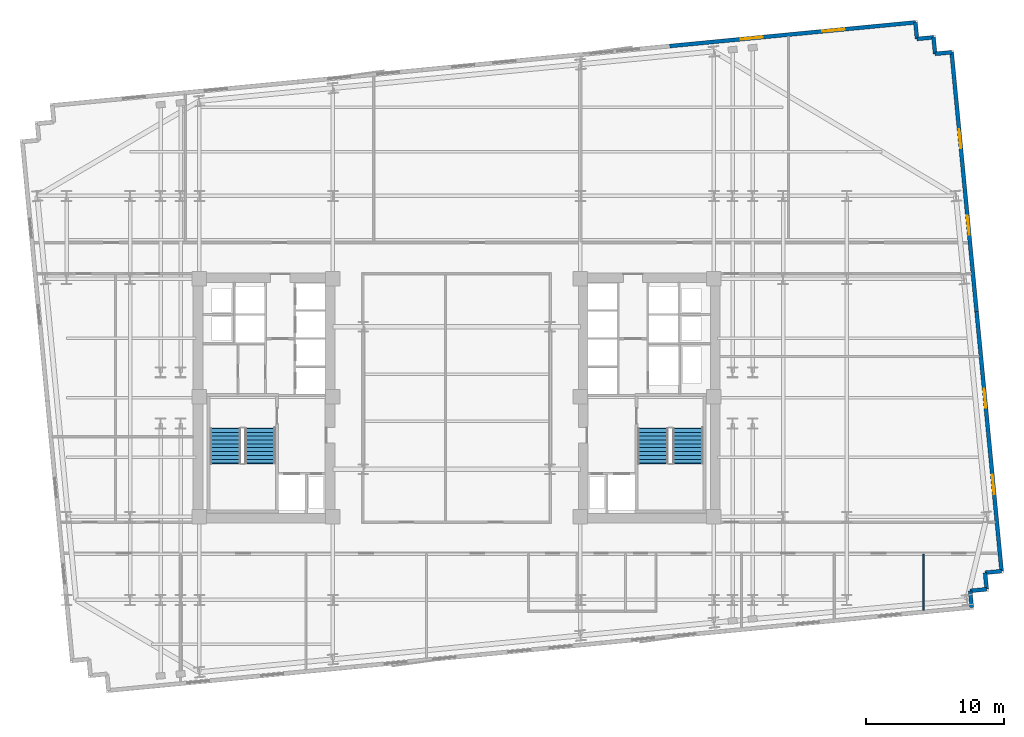
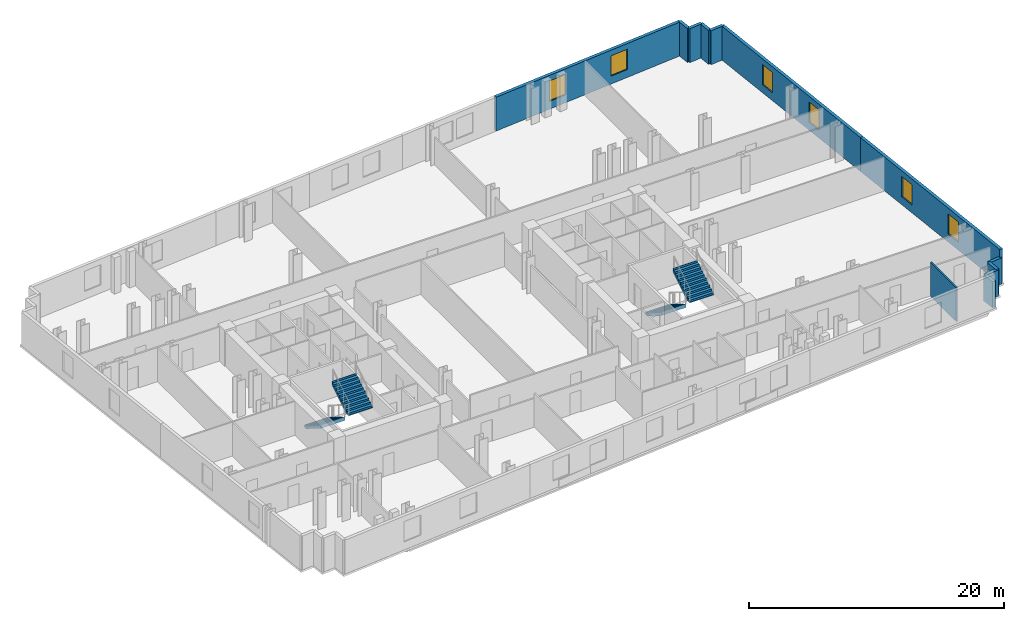
# One storey, part 8 of 10: 12 walls, 6 windows, 4 stair flights, 6 openings, 2 elements without a shape of their own.
"""IFC4 building model written with IfcOpenShell, lengths in metres."""

import ifcopenshell
import ifcopenshell.guid

model = None  # the IFC model being written
_history = None  # IfcOwnerHistory: only IFC2X3 demands one
_inside = {}  # id of a spatial element -> (the spatial element, [elements in it])
_under = {}  # id of a project, library or spatial element -> (it, [spatial elements below it])
_declared = {}  # id of a project -> (the project, [libraries it declares])
_typed = {}  # id of a type object -> (the type object, [elements of that type])
_made_of = {}  # id of a material, layer set ... -> (it, [elements and type objects made of it])


def new_model(schema):
    """Start an empty IFC model of exactly this schema.

    Asked for "IFC4X3", IfcOpenShell would pick the latest addendum, in which some entities
    have other attributes; the version numbers below select the first issue.
    IFC2X3 requires an IfcOwnerHistory on every rooted entity: one is made here for all.
    """
    global model, _history
    if schema == "IFC4X3":
        model = ifcopenshell.file(schema_version=(4, 3, 0, 0))
    else:
        model = ifcopenshell.file(schema=schema)
    _inside.clear()
    _under.clear()
    _declared.clear()
    _typed.clear()
    _made_of.clear()
    _history = None
    if model.schema == "IFC2X3":
        org = make("IfcOrganization", Name="unknown")
        user = make(
            "IfcPersonAndOrganization",
            ThePerson=make("IfcPerson", FamilyName="unknown"),
            TheOrganization=org,
        )
        app = make(
            "IfcApplication",
            ApplicationDeveloper=org,
            Version="unknown",
            ApplicationFullName="unknown",
            ApplicationIdentifier="unknown",
        )
        _history = make(
            "IfcOwnerHistory",
            OwningUser=user,
            OwningApplication=app,
            ChangeAction="ADDED",
            CreationDate=0,
        )
    return model


def make(cls, **values):
    """One entity of the class cls with the attributes given. An attribute that is None is left unset."""
    return model.create_entity(
        cls, **{name: value for name, value in values.items() if value is not None}
    )


def rooted(cls, **values):
    """An entity with a GlobalId (a new one), such as an element, a storey or a relation."""
    return make(cls, GlobalId=ifcopenshell.guid.new(), OwnerHistory=_history, **values)


def si_unit(unit_type, name, prefix=None):
    """IfcSIUnit, for example si_unit("LENGTHUNIT", "METRE", prefix="MILLI")."""
    return make("IfcSIUnit", UnitType=unit_type, Prefix=prefix, Name=name)


def assignment(units):
    """IfcUnitAssignment: the units of a project."""
    return None if units is None else make("IfcUnitAssignment", Units=units)


def point(xyz):
    """IfcCartesianPoint."""
    return None if xyz is None else make("IfcCartesianPoint", Coordinates=xyz)


def direction(xyz):
    """IfcDirection."""
    return None if xyz is None else make("IfcDirection", DirectionRatios=xyz)


def frame(location, z_axis=None, x_axis=None):
    """IfcAxis2Placement3D, a coordinate frame: its origin and axes. An axis left out is left unset."""
    return make(
        "IfcAxis2Placement3D",
        Location=point(location),
        Axis=direction(z_axis),
        RefDirection=direction(x_axis),
    )


def frame_2d(location, x_axis=None):
    """IfcAxis2Placement2D, a coordinate frame in the plane: its origin and x axis."""
    return make(
        "IfcAxis2Placement2D", Location=point(location), RefDirection=direction(x_axis)
    )


def origin():
    """The frame at (0, 0, 0) with its axes left unset."""
    return frame((0.0, 0.0, 0.0))


def place(relative_to, where):
    """IfcLocalPlacement: puts the frame where relative to a parent placement (None: the world)."""
    return make(
        "IfcLocalPlacement", PlacementRelTo=relative_to, RelativePlacement=where
    )


def context(
    kind, dimensions, precision=None, world=None, true_north=None, identifier=None
):
    """IfcGeometricRepresentationContext, for example the 3D "Model" context."""
    return make(
        "IfcGeometricRepresentationContext",
        ContextIdentifier=identifier,
        ContextType=kind,
        CoordinateSpaceDimension=dimensions,
        Precision=precision,
        WorldCoordinateSystem=world,
        TrueNorth=true_north,
    )


def subcontext(parent, identifier, kind, view, scale=None):
    """IfcGeometricRepresentationSubContext, for example "Body" below "Model"."""
    return make(
        "IfcGeometricRepresentationSubContext",
        ContextIdentifier=identifier,
        ContextType=kind,
        ParentContext=parent,
        TargetScale=scale,
        TargetView=view,
    )


def project(units=None, contexts=None):
    """IfcProject with its units and contexts."""
    return rooted(
        "IfcProject",
        Name="project",
        RepresentationContexts=contexts,
        UnitsInContext=assignment(units),
    )


def spatial(cls, under=None, at=None, **own):
    """A site, building, storey or space (cls), placed at a placement, below another one or the project."""
    s = rooted(cls, ObjectPlacement=at, **own)
    if under is not None:
        _under.setdefault(under.id(), (under, []))[1].append(s)
    return s


def polyline(points):
    """IfcPolyline through the points."""
    return make("IfcPolyline", Points=[point(p) for p in points])


def profile(cls, at=None, kind="AREA", **sizes):
    """A parametric profile (cls). Its sizes go by their IFC names, for example OverallWidth=200.0."""
    return make(cls, ProfileType=kind, Position=at, **sizes)


def rectangle(**sizes):
    """IfcRectangleProfileDef."""
    return profile("IfcRectangleProfileDef", **sizes)


def outline(outer, holes=None, kind="AREA"):
    """IfcArbitraryClosedProfileDef: a profile drawn as a closed curve; with holes, ...WithVoids."""
    if holes is None:
        return make("IfcArbitraryClosedProfileDef", ProfileType=kind, OuterCurve=outer)
    return make(
        "IfcArbitraryProfileDefWithVoids",
        ProfileType=kind,
        OuterCurve=outer,
        InnerCurves=holes,
    )


def extrude(swept, where, along, depth):
    """IfcExtrudedAreaSolid: the profile swept, set in the frame where, extruded along a direction by depth."""
    return make(
        "IfcExtrudedAreaSolid",
        SweptArea=swept,
        Position=where,
        ExtrudedDirection=direction(along),
        Depth=depth,
    )


def shape(context_of_items, identifier, shape_type, items):
    """IfcShapeRepresentation: the items that make up one representation, for example the "Body"."""
    return make(
        "IfcShapeRepresentation",
        ContextOfItems=context_of_items,
        RepresentationIdentifier=identifier,
        RepresentationType=shape_type,
        Items=items,
    )


def material(Name=None, Category=None):
    """IfcMaterial."""
    return make("IfcMaterial", Name=Name, Category=Category)


def layer(
    of_material, thickness, ventilated=None, Name=None, Category=None, Priority=None
):
    """IfcMaterialLayer: one layer of a wall or slab, of a material (None: an air gap)."""
    return make(
        "IfcMaterialLayer",
        Material=of_material,
        LayerThickness=thickness,
        IsVentilated=ventilated,
        Name=Name,
        Category=Category,
        Priority=Priority,
    )


def layer_set(layers, Name=None):
    """IfcMaterialLayerSet."""
    return make("IfcMaterialLayerSet", MaterialLayers=layers, LayerSetName=Name)


def made_of(thing, what):
    """Note that an element or type object is made of a material, layer set ...; save() writes the relation."""
    if what is not None:
        _made_of.setdefault(what.id(), (what, []))[1].append(thing)
    return thing


def type_object(cls, material=None, **own):
    """A type object (cls), such as IfcWallType, which elements share."""
    return made_of(rooted(cls, **own), material)


def element(
    cls,
    number,
    at=None,
    inside=None,
    cuts=None,
    type_object=None,
    material=None,
    context=None,
    identifier="Body",
    shape_type=None,
    held_by="IfcProductDefinitionShape",
    body=None,
    shapes=None,
    **own,
):
    """One element of the class cls, such as IfcWall. Its Tag is "e" and its number.

    at: its placement. inside: the storey or other place that contains it. cuts: it is an
    opening in that element (IfcRelVoidsElement). A single representation is given by context,
    identifier, shape_type and body (its items); several are given by shapes. held_by: the class
    of the entity that holds the representations. save() writes the other relations.
    """
    e = rooted(cls, Tag="e%d" % number, ObjectPlacement=at, **own)
    if body is not None:
        shapes = [shape(context, identifier, shape_type, body)]
    if shapes is not None:
        e.Representation = make(held_by, Representations=shapes)
    if inside is not None:
        _inside.setdefault(inside.id(), (inside, []))[1].append(e)
    if cuts is not None:
        rooted(
            "IfcRelVoidsElement", RelatingBuildingElement=cuts, RelatedOpeningElement=e
        )
    if type_object is not None:
        _typed.setdefault(type_object.id(), (type_object, []))[1].append(e)
    return made_of(e, material)


def fill(opening, filler):
    """IfcRelFillsElement: the door or window that sits in an opening."""
    return rooted(
        "IfcRelFillsElement",
        RelatingOpeningElement=opening,
        RelatedBuildingElement=filler,
    )


def aggregate(whole, parts):
    """IfcRelAggregates: a whole, such as a stair, and the parts it consists of."""
    return rooted("IfcRelAggregates", RelatingObject=whole, RelatedObjects=parts)


def save(model, path):
    """Write the relations noted so far, then the file.

    IfcRelAggregates (storeys below a building ...), IfcRelContainedInSpatialStructure (elements
    in a storey), IfcRelDefinesByType, IfcRelAssociatesMaterial and IfcRelDeclares: one each for
    every whole, place, type object, material and project.
    """
    for whole, parts in _under.values():
        aggregate(whole, parts)
    for where, things in _inside.values():
        rooted(
            "IfcRelContainedInSpatialStructure",
            RelatedElements=things,
            RelatingStructure=where,
        )
    for kind, things in _typed.values():
        rooted("IfcRelDefinesByType", RelatedObjects=things, RelatingType=kind)
    for what, things in _made_of.values():
        rooted("IfcRelAssociatesMaterial", RelatedObjects=things, RelatingMaterial=what)
    for by, libraries in _declared.values():
        rooted("IfcRelDeclares", RelatingContext=by, RelatedDefinitions=libraries)
    model.write(path)


model = new_model("IFC4")

# Units and contexts
model_context = context("Model", 3, precision=1e-05, world=origin(), true_north=direction((0.0, 1.0)))
body_context = subcontext(model_context, "Body", "Model", "MODEL_VIEW")
ifc_project = project(units=[si_unit("LENGTHUNIT", "METRE"), si_unit("AREAUNIT", "SQUARE_METRE"), si_unit("VOLUMEUNIT", "CUBIC_METRE"), si_unit("PLANEANGLEUNIT", "RADIAN"), si_unit("MASSUNIT", "GRAM", prefix="KILO")], contexts=[model_context])

# Site, building, storey
site_placement = place(None, origin())
site = spatial("IfcSite", under=ifc_project, at=site_placement, CompositionType="ELEMENT")
building_placement = place(site_placement, origin())
building = spatial("IfcBuilding", under=site, at=building_placement, Name="Velakula Bourse", CompositionType="ELEMENT")
storey_placement = place(building_placement, frame((0.0, 0.0, 88.0)))
storey = spatial("IfcBuildingStorey", under=building, at=storey_placement, Name="L23", CompositionType="ELEMENT", Elevation=88.0)

# Wall, openings, windows
ifc_material_1 = material(Name="Red kilned clay facing brick masonry", Category="masonry")
ifc_layer_1 = layer(ifc_material_1, 0.280029296875, Name="Red kilned clay facing brick masonry", Category="masonry")
ifc_layer_set_1 = layer_set([ifc_layer_1], Name="Red kilned clay facing brick masonry")
wall_type_1 = type_object("IfcWallType", Name="WL-EXT-BRK-280", PredefinedType="STANDARD", material=ifc_layer_set_1)
wall_1_placement = place(storey_placement, frame((15.402099609375, 25.43603515625, 0.0), z_axis=(0.0, 0.0, 1.0), x_axis=(0.995395780835, 0.095850088663, 0.0)))
wall_1 = element("IfcWall", 1, at=wall_1_placement, inside=storey, type_object=wall_type_1, Name="L23 N Brick Spandrel Wall B5", PredefinedType="STANDARD", context=body_context, shape_type="SweptSolid", body=[
    extrude(rectangle(XDim=17.83984375, YDim=0.280029296875, at=frame_2d((8.919921875, 0.0))), origin(), (0.0, 0.0, 1.0), 3.25),
])
opening_1_placement = place(wall_1_placement, frame((5.146728515625, 0.0, 0.760009765625)))
opening_1 = element("IfcOpeningElement", 2, at=opening_1_placement, cuts=wall_1, Name="Opening W-02", PredefinedType="OPENING", context=body_context, shape_type="SweptSolid", body=[
    extrude(rectangle(XDim=1.60009765625, YDim=1.949951171875, at=frame_2d((0.800048828125, 0.97509765625))), frame((0.0, 0.14990234375, 0.0), z_axis=(0.0, -1.0, 0.0), x_axis=(1.0, 0.0, 0.0)), (0.0, 0.0, 1.0), 0.300048828125),
])
opening_2_placement = place(wall_1_placement, frame((11.09326171875, 0.0, 0.760009765625)))
opening_2 = element("IfcOpeningElement", 3, at=opening_2_placement, cuts=wall_1, Name="Opening W-02", PredefinedType="OPENING", context=body_context, shape_type="SweptSolid", body=[
    extrude(rectangle(XDim=1.60009765625, YDim=1.949951171875, at=frame_2d((0.800048828125, 0.97509765625))), frame((0.0, 0.14990234375, 0.0), z_axis=(0.0, -1.0, 0.0), x_axis=(1.0, 0.0, 0.0)), (0.0, 0.0, 1.0), 0.300048828125),
])
ifc_material_2 = material(Name="Double-glazed solar-control Low-E glass", Category="glass")
window_type_1 = type_object("IfcWindowType", Name="WIN-TWR-1600x2100", PartitioningType="SINGLE_PANEL", PredefinedType="WINDOW", material=ifc_material_2)
window_1_placement = place(opening_1_placement, origin())
window_1 = element("IfcWindow", 4, at=window_1_placement, inside=storey, type_object=window_type_1, Name="L23 Deep-Set Recessed Window 1", OverallHeight=1.949951171875, OverallWidth=1.60009765625, PartitioningType="SINGLE_PANEL", PredefinedType="WINDOW", context=body_context, shape_type="SweptSolid", body=[
    extrude(rectangle(XDim=1.60009765625, YDim=1.949951171875, at=frame_2d((0.800048828125, 0.97509765625))), frame((0.0, 0.030029296875, 0.0), z_axis=(0.0, -1.0, 0.0), x_axis=(1.0, 0.0, 0.0)), (0.0, 0.0, 1.0), 0.06005859375),
])
fill(opening_1, window_1)
window_2_placement = place(opening_2_placement, origin())
window_2 = element("IfcWindow", 5, at=window_2_placement, inside=storey, type_object=window_type_1, Name="L23 Deep-Set Recessed Window 2", OverallHeight=1.949951171875, OverallWidth=1.60009765625, PartitioningType="SINGLE_PANEL", PredefinedType="WINDOW", context=body_context, shape_type="SweptSolid", body=[
    extrude(rectangle(XDim=1.60009765625, YDim=1.949951171875, at=frame_2d((0.800048828125, 0.97509765625))), frame((0.0, 0.030029296875, 0.0), z_axis=(0.0, -1.0, 0.0), x_axis=(1.0, 0.0, 0.0)), (0.0, 0.0, 1.0), 0.06005859375),
])
fill(opening_2, window_2)

wall_2_placement = place(storey_placement, frame((37.584716796875, 6.23388671875, 0.0), z_axis=(0.0, 0.0, 1.0), x_axis=(0.095841297881, -0.99539662729, 0.0)))
wall_2 = element("IfcWall", 6, at=wall_2_placement, inside=storey, type_object=wall_type_1, Name="L23 E Brick End Wall W1", PredefinedType="STANDARD", context=body_context, shape_type="SweptSolid", body=[
    extrude(rectangle(XDim=18.840087890625, YDim=0.280029296875, at=frame_2d((9.419921875, 0.0))), origin(), (0.0, 0.0, 1.0), 3.25),
])
opening_3_placement = place(wall_2_placement, frame((5.580078125, 0.0, 0.760009765625)))
opening_3 = element("IfcOpeningElement", 7, at=opening_3_placement, cuts=wall_2, Name="Opening W-03", PredefinedType="OPENING", context=body_context, shape_type="SweptSolid", body=[
    extrude(rectangle(XDim=1.39990234375, YDim=1.949951171875, at=frame_2d((0.699951171875, 0.97509765625))), frame((0.0, 0.14990234375, 0.0), z_axis=(0.0, -1.0, 0.0), x_axis=(1.0, 0.0, 0.0)), (0.0, 0.0, 1.0), 0.300048828125),
])
opening_4_placement = place(wall_2_placement, frame((11.860107421875, 0.0, 0.760009765625)))
opening_4 = element("IfcOpeningElement", 8, at=opening_4_placement, cuts=wall_2, Name="Opening W-03", PredefinedType="OPENING", context=body_context, shape_type="SweptSolid", body=[
    extrude(rectangle(XDim=1.39990234375, YDim=1.949951171875, at=frame_2d((0.699951171875, 0.97509765625))), frame((0.0, 0.14990234375, 0.0), z_axis=(0.0, -1.0, 0.0), x_axis=(1.0, 0.0, 0.0)), (0.0, 0.0, 1.0), 0.300048828125),
])
window_type_2 = type_object("IfcWindowType", Name="WIN-TWR-1400x2100", PartitioningType="SINGLE_PANEL", PredefinedType="WINDOW", material=ifc_material_2)
window_3_placement = place(opening_3_placement, origin())
window_3 = element("IfcWindow", 9, at=window_3_placement, inside=storey, type_object=window_type_2, Name="L23 Deep-Set Recessed Window 1", OverallHeight=1.949951171875, OverallWidth=1.39990234375, PartitioningType="SINGLE_PANEL", PredefinedType="WINDOW", context=body_context, shape_type="SweptSolid", body=[
    extrude(rectangle(XDim=1.39990234375, YDim=1.949951171875, at=frame_2d((0.699951171875, 0.97509765625))), frame((0.0, 0.030029296875, 0.0), z_axis=(0.0, -1.0, 0.0), x_axis=(1.0, 0.0, 0.0)), (0.0, 0.0, 1.0), 0.06005859375),
])
fill(opening_3, window_3)
window_4_placement = place(opening_4_placement, origin())
window_4 = element("IfcWindow", 10, at=window_4_placement, inside=storey, type_object=window_type_2, Name="L23 Deep-Set Recessed Window 2", OverallHeight=1.949951171875, OverallWidth=1.39990234375, PartitioningType="SINGLE_PANEL", PredefinedType="WINDOW", context=body_context, shape_type="SweptSolid", body=[
    extrude(rectangle(XDim=1.39990234375, YDim=1.949951171875, at=frame_2d((0.699951171875, 0.97509765625))), frame((0.0, 0.030029296875, 0.0), z_axis=(0.0, -1.0, 0.0), x_axis=(1.0, 0.0, 0.0)), (0.0, 0.0, 1.0), 0.06005859375),
])
fill(opening_4, window_4)

wall_3_placement = place(storey_placement, frame((35.779052734375, 24.987060546875, 0.0), z_axis=(0.0, 0.0, 1.0), x_axis=(0.095842534142, -0.995396508256, 0.0)))
wall_3 = element("IfcWall", 11, at=wall_3_placement, inside=storey, type_object=wall_type_1, Name="L23 E Brick End Wall W2", PredefinedType="STANDARD", context=body_context, shape_type="SweptSolid", body=[
    extrude(rectangle(XDim=18.83984375, YDim=0.280029296875, at=frame_2d((9.419921875, 0.0))), origin(), (0.0, 0.0, 1.0), 3.25),
])
opening_5_placement = place(wall_3_placement, frame((5.580078125, 0.0, 0.760009765625)))
opening_5 = element("IfcOpeningElement", 12, at=opening_5_placement, cuts=wall_3, Name="Opening W-03", PredefinedType="OPENING", context=body_context, shape_type="SweptSolid", body=[
    extrude(rectangle(XDim=1.39990234375, YDim=1.949951171875, at=frame_2d((0.699951171875, 0.97509765625))), frame((0.0, 0.14990234375, 0.0), z_axis=(0.0, -1.0, 0.0), x_axis=(1.0, 0.0, 0.0)), (0.0, 0.0, 1.0), 0.300048828125),
])
opening_6_placement = place(wall_3_placement, frame((11.860107421875, 0.0, 0.760009765625)))
opening_6 = element("IfcOpeningElement", 13, at=opening_6_placement, cuts=wall_3, Name="Opening W-03", PredefinedType="OPENING", context=body_context, shape_type="SweptSolid", body=[
    extrude(rectangle(XDim=1.39990234375, YDim=1.949951171875, at=frame_2d((0.699951171875, 0.97509765625))), frame((0.0, 0.14990234375, 0.0), z_axis=(0.0, -1.0, 0.0), x_axis=(1.0, 0.0, 0.0)), (0.0, 0.0, 1.0), 0.300048828125),
])
window_5_placement = place(opening_5_placement, origin())
window_5 = element("IfcWindow", 14, at=window_5_placement, inside=storey, type_object=window_type_2, Name="L23 Deep-Set Recessed Window 1", OverallHeight=1.949951171875, OverallWidth=1.39990234375, PartitioningType="SINGLE_PANEL", PredefinedType="WINDOW", context=body_context, shape_type="SweptSolid", body=[
    extrude(rectangle(XDim=1.39990234375, YDim=1.949951171875, at=frame_2d((0.699951171875, 0.97509765625))), frame((0.0, 0.030029296875, 0.0), z_axis=(0.0, -1.0, 0.0), x_axis=(1.0, 0.0, 0.0)), (0.0, 0.0, 1.0), 0.06005859375),
])
fill(opening_5, window_5)
window_6_placement = place(opening_6_placement, origin())
window_6 = element("IfcWindow", 15, at=window_6_placement, inside=storey, type_object=window_type_2, Name="L23 Deep-Set Recessed Window 2", OverallHeight=1.949951171875, OverallWidth=1.39990234375, PartitioningType="SINGLE_PANEL", PredefinedType="WINDOW", context=body_context, shape_type="SweptSolid", body=[
    extrude(rectangle(XDim=1.39990234375, YDim=1.949951171875, at=frame_2d((0.699951171875, 0.97509765625))), frame((0.0, 0.030029296875, 0.0), z_axis=(0.0, -1.0, 0.0), x_axis=(1.0, 0.0, 0.0)), (0.0, 0.0, 1.0), 0.06005859375),
])
fill(opening_6, window_6)

# Walls
for number, where, z_axis, x_axis, name in (
    (16, (37.2314453125, -15.138427734375, 0.0), (0.0, 0.0, 1.0), (-0.095817067274, 0.995398960025, 0.0), "L23 Serrated Corner Brick Wall SE-1"),
    (17, (37.116455078125, -13.94384765625, 0.0), (0.0, 0.0, 1.0), (0.995398960025, 0.095817067274, 0.0), "L23 Serrated Corner Brick Wall SE-2"),
):
    element("IfcWall", number, at=place(storey_placement, frame(where, z_axis=z_axis, x_axis=x_axis)), inside=storey, type_object=wall_type_1, Name=name, PredefinedType="STANDARD", context=body_context, shape_type="SweptSolid", body=[
        extrude(rectangle(XDim=1.2001953125, YDim=0.280029296875, at=frame_2d((0.60009765625, 0.0))), origin(), (0.0, 0.0, 1.0), 2.4951171875),
    ])
for number, where, z_axis, x_axis, name in (
    (18, (38.31103515625, -13.828857421875, 0.0), (0.0, 0.0, 1.0), (-0.095836473879, 0.995397091755, 0.0), "L23 Serrated Corner Brick Wall SE-3"),
    (19, (38.196044921875, -12.634521484375, 0.0), (0.0, 0.0, 1.0), (0.995397091755, 0.095836473879, 0.0), "L23 Serrated Corner Brick Wall SE-4"),
):
    element("IfcWall", number, at=place(storey_placement, frame(where, z_axis=z_axis, x_axis=x_axis)), inside=storey, type_object=wall_type_1, Name=name, PredefinedType="STANDARD", context=body_context, shape_type="SweptSolid", body=[
        extrude(rectangle(XDim=1.199951171875, YDim=0.280029296875, at=frame_2d((0.60009765625, 0.0))), origin(), (0.0, 0.0, 1.0), 2.4951171875),
    ])
for number, where, z_axis, x_axis, name in (
    (20, (35.779052734375, 24.987060546875, 0.0), (0.0, 0.0, 1.0), (-0.995398960025, -0.095817067274, 0.0), "L23 Serrated Corner Brick Wall NE-1"),
    (21, (34.58447265625, 24.8720703125, 0.0), (0.0, 0.0, 1.0), (-0.095817067274, 0.995398960025, 0.0), "L23 Serrated Corner Brick Wall NE-2"),
    (22, (34.469482421875, 26.066650390625, 0.0), (0.0, 0.0, 1.0), (-0.995398960025, -0.095817067274, 0.0), "L23 Serrated Corner Brick Wall NE-3"),
):
    element("IfcWall", number, at=place(storey_placement, frame(where, z_axis=z_axis, x_axis=x_axis)), inside=storey, type_object=wall_type_1, Name=name, PredefinedType="STANDARD", context=body_context, shape_type="SweptSolid", body=[
        extrude(rectangle(XDim=1.2001953125, YDim=0.280029296875, at=frame_2d((0.60009765625, 0.0))), origin(), (0.0, 0.0, 1.0), 3.25),
    ])
wall_4_placement = place(storey_placement, frame((33.27490234375, 25.95166015625, 0.0), z_axis=(0.0, 0.0, 1.0), x_axis=(-0.095836473879, 0.995397091755, 0.0)))
element("IfcWall", 23, at=wall_4_placement, inside=storey, type_object=wall_type_1, Name="L23 Serrated Corner Brick Wall NE-4", PredefinedType="STANDARD", context=body_context, shape_type="SweptSolid", body=[
    extrude(rectangle(XDim=1.199951171875, YDim=0.280029296875, at=frame_2d((0.60009765625, 0.0))), origin(), (0.0, 0.0, 1.0), 3.25),
])
ifc_material_3 = material(Name="Fire-rated double-layer gypsum drywall partition", Category="gypsum")
ifc_layer_2 = layer(ifc_material_3, 0.1201171875, Name="Fire-rated double-layer gypsum drywall partition", Category="gypsum")
ifc_layer_set_2 = layer_set([ifc_layer_2], Name="Fire-rated double-layer gypsum drywall partition")
wall_type_2 = type_object("IfcWallType", Name="WL-PART-120", PredefinedType="STANDARD", material=ifc_layer_set_2)
wall_5_placement = place(storey_placement, frame((33.739013671875, -15.35400390625, 0.0), z_axis=(0.0, 0.0, 1.0), x_axis=(0.0, 1.0, 0.0)))
element("IfcWall", 24, at=wall_5_placement, inside=storey, type_object=wall_type_2, Name="L23 Interior Partition WL-INT-L23-SR-D10", PredefinedType="STANDARD", context=body_context, shape_type="SweptSolid", body=[
    extrude(rectangle(XDim=4.06396484375, YDim=0.1201171875, at=frame_2d((2.031982421875, 0.0))), origin(), (0.0, 0.0, 1.0), 3.25),
])

# Stair, stair flights
ifc_material_4 = material(Name="Concrete M45 (fck 45 MPa)", Category="concrete")
stair_type = type_object("IfcStairType", Name="STR-DOG-390", PredefinedType="HALF_TURN_STAIR", material=ifc_material_4)
stair_1_placement = place(storey_placement, origin())
stair_1 = element("IfcStair", 25, at=stair_1_placement, inside=storey, type_object=stair_type, Name="L23 West Core Exit Stair ST-W1", PredefinedType="HALF_TURN_STAIR")
ifc_layer_3 = layer(ifc_material_4, 0.195068359375, Name="Concrete M45 (fck 45 MPa)", Category="concrete")
ifc_layer_set_3 = layer_set([ifc_layer_3], Name="Concrete M45 (fck 45 MPa)")
stair_flight_type = type_object("IfcStairFlightType", Name="FLT-DOG-390", PredefinedType="STRAIGHT", material=ifc_layer_set_3)
stair_flight_1_placement = place(storey_placement, frame((-16.720947265625, -2.199951171875, 0.0), z_axis=(0.0, 0.0, 1.0), x_axis=(0.0, -1.0, 0.0)))
stair_flight_1 = element("IfcStairFlight", 26, at=stair_flight_1_placement, type_object=stair_flight_type, Name="ST-W1 flight 1", NumberOfRisers=10, NumberOfTreads=9, PredefinedType="STRAIGHT", RiserHeight=0.1725, TreadLength=0.28, context=body_context, shape_type="SweptSolid", body=[
    extrude(outline(polyline([(-0.044921875, -0.0400390625), (-0.044921875, -0.036865234375), (-0.044921875, -0.033935546875), (-0.044921875, -0.03076171875), (-0.044921875, -0.027587890625), (-0.044921875, -0.024658203125), (-0.044921875, -0.021484375), (-0.044921875, -0.0185546875), (-0.044921875, -0.015380859375), (-0.044921875, -0.01220703125), (-0.044921875, -0.00927734375), (-0.044921875, -0.006103515625), (-0.044921875, -0.003173828125), (-0.044921875, 0.0), (0.0, 0.0), (0.0, 0.172607421875), (0.280029296875, 0.172607421875), (0.280029296875, 0.344970703125), (0.56005859375, 0.344970703125), (0.56005859375, 0.517578125), (0.840087890625, 0.517578125), (0.840087890625, 0.68994140625), (1.1201171875, 0.68994140625), (1.1201171875, 0.862548828125), (1.39990234375, 0.862548828125), (1.39990234375, 1.034912109375), (1.679931640625, 1.034912109375), (1.679931640625, 1.20751953125), (1.9599609375, 1.20751953125), (1.9599609375, 1.3798828125), (2.239990234375, 1.3798828125), (2.239990234375, 1.552490234375), (2.52001953125, 1.552490234375), (2.52001953125, 1.72509765625), (2.56494140625, 1.72509765625), (2.56494140625, 1.7001953125), (2.56494140625, 1.67529296875), (2.56494140625, 1.650390625), (2.56494140625, 1.62548828125), (2.56494140625, 1.6005859375), (2.56494140625, 1.57568359375), (2.56494140625, 1.55078125), (2.56494140625, 1.52587890625), (2.56494140625, 1.5009765625), (2.56494140625, 1.47607421875), (2.56494140625, 1.451171875), (2.56494140625, 1.42626953125), (2.56494140625, 1.4013671875), (2.56494140625, 1.37646484375), (0.285888671875, -0.0400390625), (-0.044921875, -0.0400390625)])), frame((0.0, 1.09912109375, 0.0), z_axis=(0.0, -1.0, 0.0), x_axis=(1.0, 0.0, 0.0)), (0.0, 0.0, 1.0), 2.197998046875),
])
stair_flight_2_placement = place(storey_placement, frame((-14.198974609375, -4.719970703125, 1.72509765625), z_axis=(0.0, 0.0, 1.0), x_axis=(0.0, 1.0, 0.0)))
stair_flight_2 = element("IfcStairFlight", 27, at=stair_flight_2_placement, type_object=stair_flight_type, Name="ST-W1 flight 2", NumberOfRisers=10, NumberOfTreads=9, PredefinedType="STRAIGHT", RiserHeight=0.1725, TreadLength=0.28, context=body_context, shape_type="SweptSolid", body=[
    extrude(outline(polyline([(-0.044921875, -0.0400390625), (-0.044921875, -0.036865234375), (-0.044921875, -0.033935546875), (-0.044921875, -0.03076171875), (-0.044921875, -0.027587890625), (-0.044921875, -0.024658203125), (-0.044921875, -0.021484375), (-0.044921875, -0.0185546875), (-0.044921875, -0.015380859375), (-0.044921875, -0.01220703125), (-0.044921875, -0.00927734375), (-0.044921875, -0.006103515625), (-0.044921875, -0.003173828125), (-0.044921875, 0.0), (0.0, 0.0), (0.0, 0.172607421875), (0.280029296875, 0.172607421875), (0.280029296875, 0.344970703125), (0.56005859375, 0.344970703125), (0.56005859375, 0.517578125), (0.840087890625, 0.517578125), (0.840087890625, 0.68994140625), (1.1201171875, 0.68994140625), (1.1201171875, 0.862548828125), (1.39990234375, 0.862548828125), (1.39990234375, 1.034912109375), (1.679931640625, 1.034912109375), (1.679931640625, 1.20751953125), (1.9599609375, 1.20751953125), (1.9599609375, 1.3798828125), (2.239990234375, 1.3798828125), (2.239990234375, 1.552490234375), (2.52001953125, 1.552490234375), (2.52001953125, 1.72509765625), (2.56494140625, 1.72509765625), (2.56494140625, 1.7001953125), (2.56494140625, 1.67529296875), (2.56494140625, 1.650390625), (2.56494140625, 1.62548828125), (2.56494140625, 1.6005859375), (2.56494140625, 1.57568359375), (2.56494140625, 1.55078125), (2.56494140625, 1.52587890625), (2.56494140625, 1.5009765625), (2.56494140625, 1.47607421875), (2.56494140625, 1.451171875), (2.56494140625, 1.42626953125), (2.56494140625, 1.4013671875), (2.56494140625, 1.37646484375), (0.285888671875, -0.0400390625), (-0.044921875, -0.0400390625)])), frame((0.0, 1.09912109375, 0.0), z_axis=(0.0, -1.0, 0.0), x_axis=(1.0, 0.0, 0.0)), (0.0, 0.0, 1.0), 2.197998046875),
])
aggregate(stair_1, [stair_flight_1, stair_flight_2])

stair_2_placement = place(storey_placement, origin())
stair_2 = element("IfcStair", 28, at=stair_2_placement, inside=storey, type_object=stair_type, Name="L23 East Core Exit Stair ST-E1", PredefinedType="HALF_TURN_STAIR")
stair_flight_3_placement = place(storey_placement, frame((14.198974609375, -2.199951171875, 0.0), z_axis=(0.0, 0.0, 1.0), x_axis=(0.0, -1.0, 0.0)))
stair_flight_3 = element("IfcStairFlight", 29, at=stair_flight_3_placement, type_object=stair_flight_type, Name="ST-E1 flight 1", NumberOfRisers=10, NumberOfTreads=9, PredefinedType="STRAIGHT", RiserHeight=0.1725, TreadLength=0.28, context=body_context, shape_type="SweptSolid", body=[
    extrude(outline(polyline([(-0.044921875, -0.0400390625), (-0.044921875, -0.036865234375), (-0.044921875, -0.033935546875), (-0.044921875, -0.03076171875), (-0.044921875, -0.027587890625), (-0.044921875, -0.024658203125), (-0.044921875, -0.021484375), (-0.044921875, -0.0185546875), (-0.044921875, -0.015380859375), (-0.044921875, -0.01220703125), (-0.044921875, -0.00927734375), (-0.044921875, -0.006103515625), (-0.044921875, -0.003173828125), (-0.044921875, 0.0), (0.0, 0.0), (0.0, 0.172607421875), (0.280029296875, 0.172607421875), (0.280029296875, 0.344970703125), (0.56005859375, 0.344970703125), (0.56005859375, 0.517578125), (0.840087890625, 0.517578125), (0.840087890625, 0.68994140625), (1.1201171875, 0.68994140625), (1.1201171875, 0.862548828125), (1.39990234375, 0.862548828125), (1.39990234375, 1.034912109375), (1.679931640625, 1.034912109375), (1.679931640625, 1.20751953125), (1.9599609375, 1.20751953125), (1.9599609375, 1.3798828125), (2.239990234375, 1.3798828125), (2.239990234375, 1.552490234375), (2.52001953125, 1.552490234375), (2.52001953125, 1.72509765625), (2.56494140625, 1.72509765625), (2.56494140625, 1.7001953125), (2.56494140625, 1.67529296875), (2.56494140625, 1.650390625), (2.56494140625, 1.62548828125), (2.56494140625, 1.6005859375), (2.56494140625, 1.57568359375), (2.56494140625, 1.55078125), (2.56494140625, 1.52587890625), (2.56494140625, 1.5009765625), (2.56494140625, 1.47607421875), (2.56494140625, 1.451171875), (2.56494140625, 1.42626953125), (2.56494140625, 1.4013671875), (2.56494140625, 1.37646484375), (0.285888671875, -0.0400390625), (-0.044921875, -0.0400390625)])), frame((0.0, 1.09912109375, 0.0), z_axis=(0.0, -1.0, 0.0), x_axis=(1.0, 0.0, 0.0)), (0.0, 0.0, 1.0), 2.197998046875),
])
stair_flight_4_placement = place(storey_placement, frame((16.720947265625, -4.719970703125, 1.72509765625), z_axis=(0.0, 0.0, 1.0), x_axis=(0.0, 1.0, 0.0)))
stair_flight_4 = element("IfcStairFlight", 30, at=stair_flight_4_placement, type_object=stair_flight_type, Name="ST-E1 flight 2", NumberOfRisers=10, NumberOfTreads=9, PredefinedType="STRAIGHT", RiserHeight=0.1725, TreadLength=0.28, context=body_context, shape_type="SweptSolid", body=[
    extrude(outline(polyline([(-0.044921875, -0.0400390625), (-0.044921875, -0.036865234375), (-0.044921875, -0.033935546875), (-0.044921875, -0.03076171875), (-0.044921875, -0.027587890625), (-0.044921875, -0.024658203125), (-0.044921875, -0.021484375), (-0.044921875, -0.0185546875), (-0.044921875, -0.015380859375), (-0.044921875, -0.01220703125), (-0.044921875, -0.00927734375), (-0.044921875, -0.006103515625), (-0.044921875, -0.003173828125), (-0.044921875, 0.0), (0.0, 0.0), (0.0, 0.172607421875), (0.280029296875, 0.172607421875), (0.280029296875, 0.344970703125), (0.56005859375, 0.344970703125), (0.56005859375, 0.517578125), (0.840087890625, 0.517578125), (0.840087890625, 0.68994140625), (1.1201171875, 0.68994140625), (1.1201171875, 0.862548828125), (1.39990234375, 0.862548828125), (1.39990234375, 1.034912109375), (1.679931640625, 1.034912109375), (1.679931640625, 1.20751953125), (1.9599609375, 1.20751953125), (1.9599609375, 1.3798828125), (2.239990234375, 1.3798828125), (2.239990234375, 1.552490234375), (2.52001953125, 1.552490234375), (2.52001953125, 1.72509765625), (2.56494140625, 1.72509765625), (2.56494140625, 1.7001953125), (2.56494140625, 1.67529296875), (2.56494140625, 1.650390625), (2.56494140625, 1.62548828125), (2.56494140625, 1.6005859375), (2.56494140625, 1.57568359375), (2.56494140625, 1.55078125), (2.56494140625, 1.52587890625), (2.56494140625, 1.5009765625), (2.56494140625, 1.47607421875), (2.56494140625, 1.451171875), (2.56494140625, 1.42626953125), (2.56494140625, 1.4013671875), (2.56494140625, 1.37646484375), (0.285888671875, -0.0400390625), (-0.044921875, -0.0400390625)])), frame((0.0, 1.09912109375, 0.0), z_axis=(0.0, -1.0, 0.0), x_axis=(1.0, 0.0, 0.0)), (0.0, 0.0, 1.0), 2.197998046875),
])
aggregate(stair_2, [stair_flight_3, stair_flight_4])

save(model, "model.ifc")
